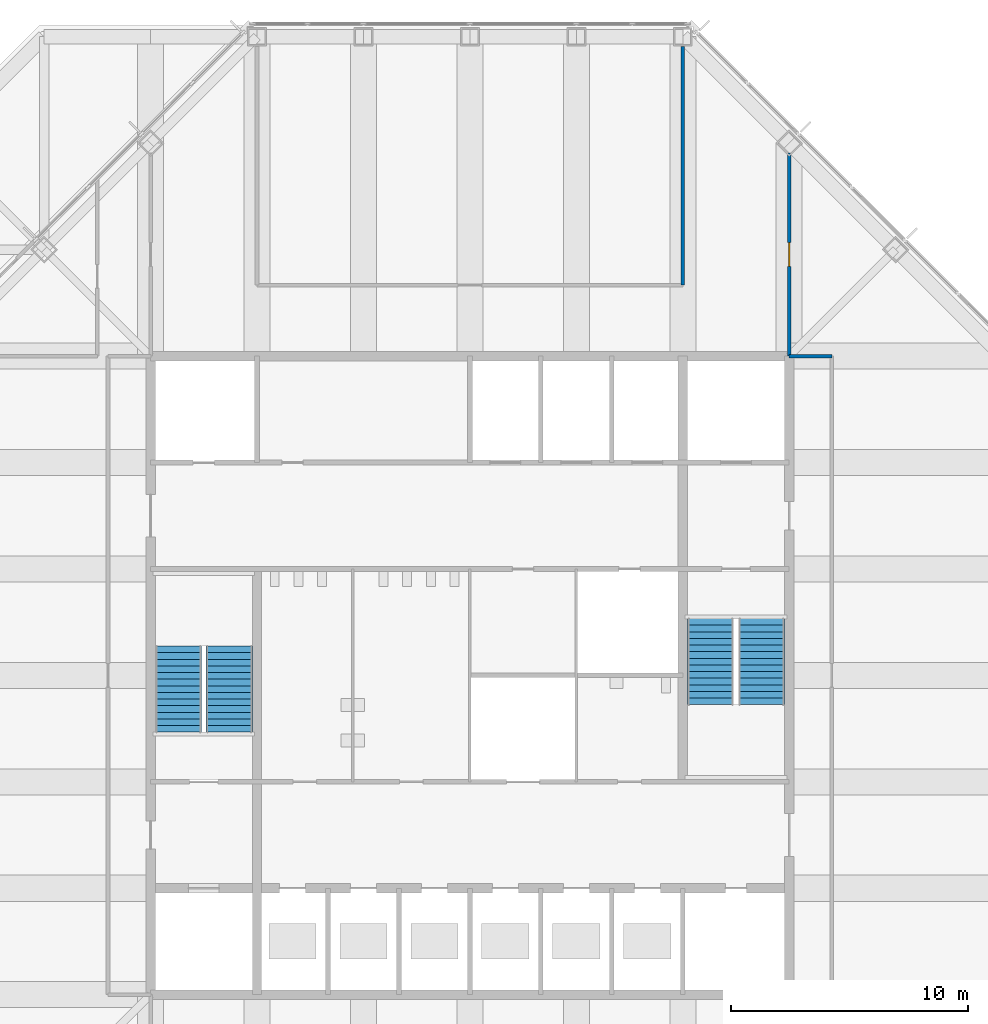
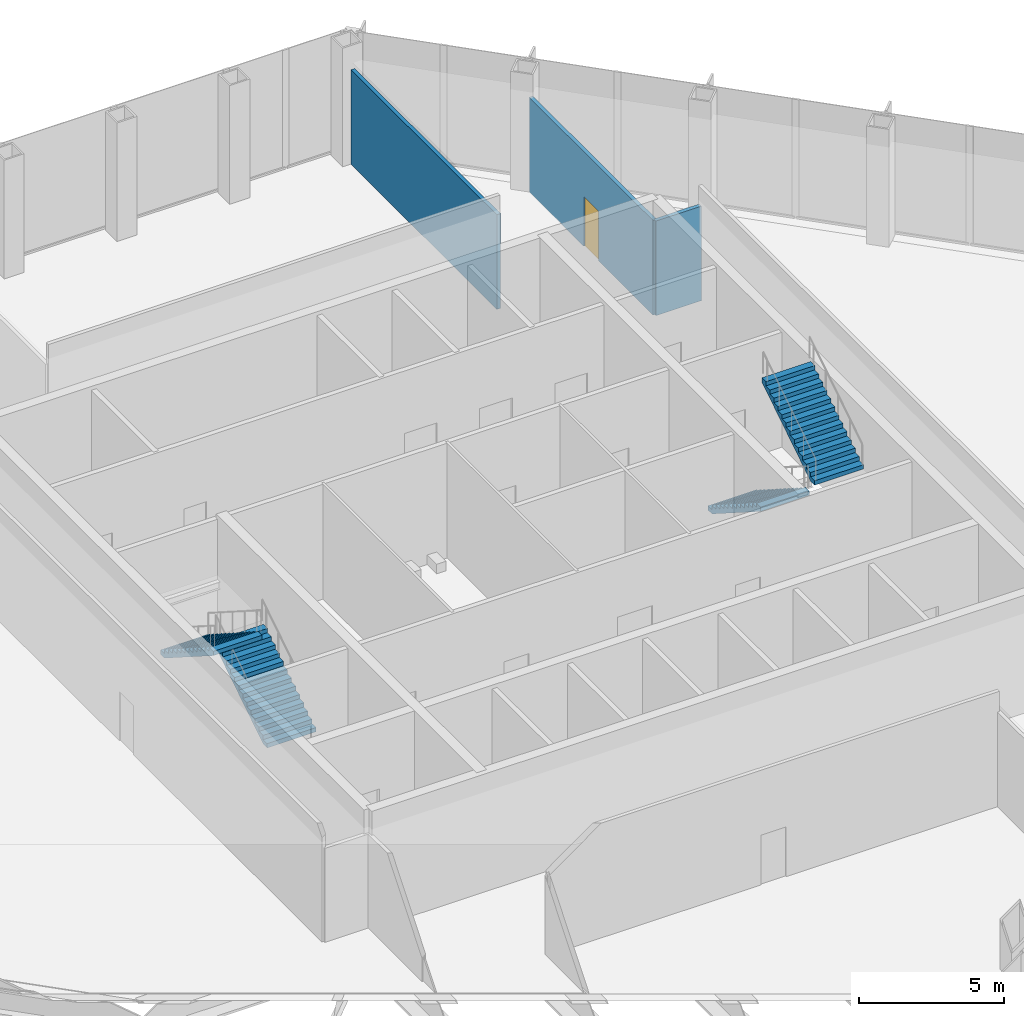
# One storey, part 9 of 12: 4 stair flights, 3 walls, 1 door, 1 opening, 2 elements without a shape of their own.
"""IFC4 building model written with IfcOpenShell, lengths in metres."""

from ifc_helpers import new_model, si_unit, direction, frame, frame_2d, origin, place, context, subcontext, project, spatial, polyline, rectangle, outline, extrude, material, layer, layer_set, type_object, element, fill, aggregate, save


model = new_model("IFC4")

# Units and contexts
model_context = context("Model", 3, precision=1e-05, world=origin(), true_north=direction((0.0, 1.0)))
body_context = subcontext(model_context, "Body", "Model", "MODEL_VIEW")
ifc_project = project(units=[si_unit("LENGTHUNIT", "METRE"), si_unit("AREAUNIT", "SQUARE_METRE"), si_unit("VOLUMEUNIT", "CUBIC_METRE"), si_unit("PLANEANGLEUNIT", "RADIAN"), si_unit("MASSUNIT", "GRAM", prefix="KILO")], contexts=[model_context])

# Site, building, storey
site_placement = place(None, origin())
site = spatial("IfcSite", under=ifc_project, at=site_placement, CompositionType="ELEMENT")
building_placement = place(site_placement, origin())
building = spatial("IfcBuilding", under=site, at=building_placement, Name="Corais Broadcast Tower", CompositionType="ELEMENT")
storey_placement = place(building_placement, frame((0.0, 0.0, 205.60009765625)))
storey = spatial("IfcBuildingStorey", under=building, at=storey_placement, Name="L47", CompositionType="ELEMENT", Elevation=205.60009765625)

# Walls
ifc_material_1 = material(Name="Gypsum board on steel studs", Category="steel")
ifc_layer = layer(ifc_material_1, 0.14990234375)
ifc_layer_set = layer_set([ifc_layer], Name="Gypsum board on steel studs")
wall_type = type_object("IfcWallType", Name="Partition 150", PredefinedType="PARTITIONING", material=ifc_layer_set)
wall_1_placement = place(storey_placement, frame((42.300048828125, 40.5, 0.0), z_axis=(0.0, 0.0, 1.0), x_axis=(-1.0, 0.0, 0.0)))
element("IfcWall", 1, at=wall_1_placement, inside=storey, type_object=wall_type, Name="IW3 corridor wall L47", PredefinedType="PARTITIONING", context=body_context, shape_type="SweptSolid", body=[
    extrude(rectangle(XDim=1.81005859375, YDim=0.14990234375, at=frame_2d((0.905029296875, 0.0))), origin(), (0.0, 0.0, 1.0), 3.989013671875),
])
wall_2_placement = place(storey_placement, frame((36.0, 43.5, 0.0), z_axis=(0.0, 0.0, 1.0), x_axis=(0.0, 1.0, 0.0)))
element("IfcWall", 2, at=wall_2_placement, inside=storey, type_object=wall_type, Name="IW3 partition L47", PredefinedType="PARTITIONING", context=body_context, shape_type="SweptSolid", body=[
    extrude(rectangle(XDim=10.090087890625, YDim=0.14990234375, at=frame_2d((5.044921875, 0.0))), origin(), (0.0, 0.0, 1.0), 3.989013671875),
])

# Wall, opening, door
wall_3_placement = place(storey_placement, frame((40.5, 49.080078125, 0.0), z_axis=(0.0, 0.0, 1.0), x_axis=(0.0, -1.0, 0.0)))
wall_3 = element("IfcWall", 3, at=wall_3_placement, inside=storey, type_object=wall_type, Name="IW3 partition L47", PredefinedType="PARTITIONING", context=body_context, shape_type="SweptSolid", body=[
    extrude(rectangle(XDim=8.580078125, YDim=0.14990234375, at=frame_2d((4.2900390625, 0.0))), origin(), (0.0, 0.0, 1.0), 3.989013671875),
])
opening_placement = place(wall_3_placement, frame((3.7900390625, 0.0, 0.0)))
opening = element("IfcOpeningElement", 4, at=opening_placement, cuts=wall_3, Name="Opening D1", PredefinedType="OPENING", context=body_context, shape_type="SweptSolid", body=[
    extrude(rectangle(XDim=1.0, YDim=2.10009765625, at=frame_2d((0.5, 1.050048828125))), frame((0.0, 0.0849609375, 0.0), z_axis=(0.0, -1.0, 0.0), x_axis=(1.0, 0.0, 0.0)), (0.0, 0.0, 1.0), 0.169921875),
])
ifc_material_2 = material(Name="Timber door", Category="wood")
door_type = type_object("IfcDoorType", Name="Single door 1000x2100", OperationType="SINGLE_SWING_LEFT", PredefinedType="DOOR", material=ifc_material_2)
door_placement = place(opening_placement, origin())
door = element("IfcDoor", 5, at=door_placement, inside=storey, type_object=door_type, Name="D1 team room door L47", OperationType="SINGLE_SWING_LEFT", OverallHeight=2.10009765625, OverallWidth=1.0, PredefinedType="DOOR", context=body_context, shape_type="SweptSolid", body=[
    extrude(rectangle(XDim=1.0, YDim=2.10009765625, at=frame_2d((0.5, 1.050048828125))), frame((0.0, 0.02490234375, 0.0), z_axis=(0.0, -1.0, 0.0), x_axis=(1.0, 0.0, 0.0)), (0.0, 0.0, 1.0), 0.050048828125),
])
fill(opening, door)

# Stair, stair flights
ifc_material_3 = material(Name="Concrete C30/37", Category="concrete")
stair_type = type_object("IfcStairType", Name="Half-turn stair 5000", PredefinedType="HALF_TURN_STAIR", material=ifc_material_3)
stair_1_placement = place(storey_placement, origin())
stair_1 = element("IfcStair", 6, at=stair_1_placement, inside=storey, type_object=stair_type, Name="Stair A L47", PredefinedType="HALF_TURN_STAIR")
ifc_material_4 = material(Name="Concrete C30/37", Category="concrete")
stair_flight_type = type_object("IfcStairFlightType", Name="Stair flight 5000", PredefinedType="STRAIGHT", material=ifc_material_4)
stair_flight_1_placement = place(storey_placement, frame((16.824951171875, 24.60009765625, 0.0), z_axis=(0.0, 0.0, 1.0), x_axis=(0.0, 1.0, 0.0)))
stair_flight_1 = element("IfcStairFlight", 7, at=stair_flight_1_placement, type_object=stair_flight_type, Name="STA flight 1", NumberOfRisers=14, NumberOfTreads=13, PredefinedType="STRAIGHT", RiserHeight=0.178571429, TreadLength=0.28, context=body_context, shape_type="SweptSolid", body=[
    extrude(outline(polyline([(0.0, 0.0), (0.0, 0.178466796875), (0.280029296875, 0.178466796875), (0.280029296875, 0.357177734375), (0.56005859375, 0.357177734375), (0.56005859375, 0.53564453125), (0.840087890625, 0.53564453125), (0.840087890625, 0.71435546875), (1.1201171875, 0.71435546875), (1.1201171875, 0.892822265625), (1.39990234375, 0.892822265625), (1.39990234375, 1.071533203125), (1.679931640625, 1.071533203125), (1.679931640625, 1.25), (1.9599609375, 1.25), (1.9599609375, 1.428466796875), (2.239990234375, 1.428466796875), (2.239990234375, 1.607177734375), (2.52001953125, 1.607177734375), (2.52001953125, 1.78564453125), (2.800048828125, 1.78564453125), (2.800048828125, 1.96435546875), (3.080078125, 1.96435546875), (3.080078125, 2.142822265625), (3.360107421875, 2.142822265625), (3.360107421875, 2.321533203125), (3.639892578125, 2.321533203125), (3.639892578125, 2.5), (3.639892578125, 2.1435546875), (0.27880859375, 0.0), (0.0, 0.0)])), frame((0.0, 0.97509765625, 0.0), z_axis=(0.0, -1.0, 0.0), x_axis=(1.0, 0.0, 0.0)), (0.0, 0.0, 1.0), 1.949951171875),
])
stair_flight_2_placement = place(storey_placement, frame((14.675048828125, 28.239990234375, 2.5), z_axis=(0.0, 0.0, 1.0), x_axis=(0.0, -1.0, 0.0)))
stair_flight_2 = element("IfcStairFlight", 8, at=stair_flight_2_placement, type_object=stair_flight_type, Name="STA flight 2", NumberOfRisers=14, NumberOfTreads=13, PredefinedType="STRAIGHT", RiserHeight=0.178571429, TreadLength=0.28, context=body_context, shape_type="SweptSolid", body=[
    extrude(outline(polyline([(0.0, 0.0), (0.0, 0.178466796875), (0.280029296875, 0.178466796875), (0.280029296875, 0.357177734375), (0.56005859375, 0.357177734375), (0.56005859375, 0.53564453125), (0.840087890625, 0.53564453125), (0.840087890625, 0.71435546875), (1.1201171875, 0.71435546875), (1.1201171875, 0.892822265625), (1.39990234375, 0.892822265625), (1.39990234375, 1.071533203125), (1.679931640625, 1.071533203125), (1.679931640625, 1.25), (1.9599609375, 1.25), (1.9599609375, 1.428466796875), (2.239990234375, 1.428466796875), (2.239990234375, 1.607177734375), (2.52001953125, 1.607177734375), (2.52001953125, 1.78564453125), (2.800048828125, 1.78564453125), (2.800048828125, 1.96435546875), (3.080078125, 1.96435546875), (3.080078125, 2.142822265625), (3.360107421875, 2.142822265625), (3.360107421875, 2.321533203125), (3.639892578125, 2.321533203125), (3.639892578125, 2.5), (3.639892578125, 2.1435546875), (0.27880859375, 0.0), (0.0, 0.0)])), frame((0.0, 0.97509765625, 0.0), z_axis=(0.0, -1.0, 0.0), x_axis=(1.0, 0.0, 0.0)), (0.0, 0.0, 1.0), 1.949951171875),
])
aggregate(stair_1, [stair_flight_1, stair_flight_2])

stair_2_placement = place(storey_placement, origin())
stair_2 = element("IfcStair", 9, at=stair_2_placement, inside=storey, type_object=stair_type, Name="Stair B L47", PredefinedType="HALF_TURN_STAIR")
stair_flight_3_placement = place(storey_placement, frame((37.175048828125, 29.39990234375, 0.0), z_axis=(0.0, 0.0, 1.0), x_axis=(0.0, -1.0, 0.0)))
stair_flight_3 = element("IfcStairFlight", 10, at=stair_flight_3_placement, type_object=stair_flight_type, Name="STB flight 1", NumberOfRisers=14, NumberOfTreads=13, PredefinedType="STRAIGHT", RiserHeight=0.178571429, TreadLength=0.28, context=body_context, shape_type="SweptSolid", body=[
    extrude(outline(polyline([(0.0, 0.0), (0.0, 0.178466796875), (0.280029296875, 0.178466796875), (0.280029296875, 0.357177734375), (0.56005859375, 0.357177734375), (0.56005859375, 0.53564453125), (0.840087890625, 0.53564453125), (0.840087890625, 0.71435546875), (1.1201171875, 0.71435546875), (1.1201171875, 0.892822265625), (1.39990234375, 0.892822265625), (1.39990234375, 1.071533203125), (1.679931640625, 1.071533203125), (1.679931640625, 1.25), (1.9599609375, 1.25), (1.9599609375, 1.428466796875), (2.239990234375, 1.428466796875), (2.239990234375, 1.607177734375), (2.52001953125, 1.607177734375), (2.52001953125, 1.78564453125), (2.800048828125, 1.78564453125), (2.800048828125, 1.96435546875), (3.080078125, 1.96435546875), (3.080078125, 2.142822265625), (3.360107421875, 2.142822265625), (3.360107421875, 2.321533203125), (3.639892578125, 2.321533203125), (3.639892578125, 2.5), (3.639892578125, 2.1435546875), (0.27880859375, 0.0), (0.0, 0.0)])), frame((0.0, 0.97509765625, 0.0), z_axis=(0.0, -1.0, 0.0), x_axis=(1.0, 0.0, 0.0)), (0.0, 0.0, 1.0), 1.949951171875),
])
stair_flight_4_placement = place(storey_placement, frame((39.324951171875, 25.760009765625, 2.5), z_axis=(0.0, 0.0, 1.0), x_axis=(0.0, 1.0, 0.0)))
stair_flight_4 = element("IfcStairFlight", 11, at=stair_flight_4_placement, type_object=stair_flight_type, Name="STB flight 2", NumberOfRisers=14, NumberOfTreads=13, PredefinedType="STRAIGHT", RiserHeight=0.178571429, TreadLength=0.28, context=body_context, shape_type="SweptSolid", body=[
    extrude(outline(polyline([(0.0, 0.0), (0.0, 0.178466796875), (0.280029296875, 0.178466796875), (0.280029296875, 0.357177734375), (0.56005859375, 0.357177734375), (0.56005859375, 0.53564453125), (0.840087890625, 0.53564453125), (0.840087890625, 0.71435546875), (1.1201171875, 0.71435546875), (1.1201171875, 0.892822265625), (1.39990234375, 0.892822265625), (1.39990234375, 1.071533203125), (1.679931640625, 1.071533203125), (1.679931640625, 1.25), (1.9599609375, 1.25), (1.9599609375, 1.428466796875), (2.239990234375, 1.428466796875), (2.239990234375, 1.607177734375), (2.52001953125, 1.607177734375), (2.52001953125, 1.78564453125), (2.800048828125, 1.78564453125), (2.800048828125, 1.96435546875), (3.080078125, 1.96435546875), (3.080078125, 2.142822265625), (3.360107421875, 2.142822265625), (3.360107421875, 2.321533203125), (3.639892578125, 2.321533203125), (3.639892578125, 2.5), (3.639892578125, 2.1435546875), (0.27880859375, 0.0), (0.0, 0.0)])), frame((0.0, 0.97509765625, 0.0), z_axis=(0.0, -1.0, 0.0), x_axis=(1.0, 0.0, 0.0)), (0.0, 0.0, 1.0), 1.949951171875),
])
aggregate(stair_2, [stair_flight_3, stair_flight_4])

save(model, "model.ifc")
